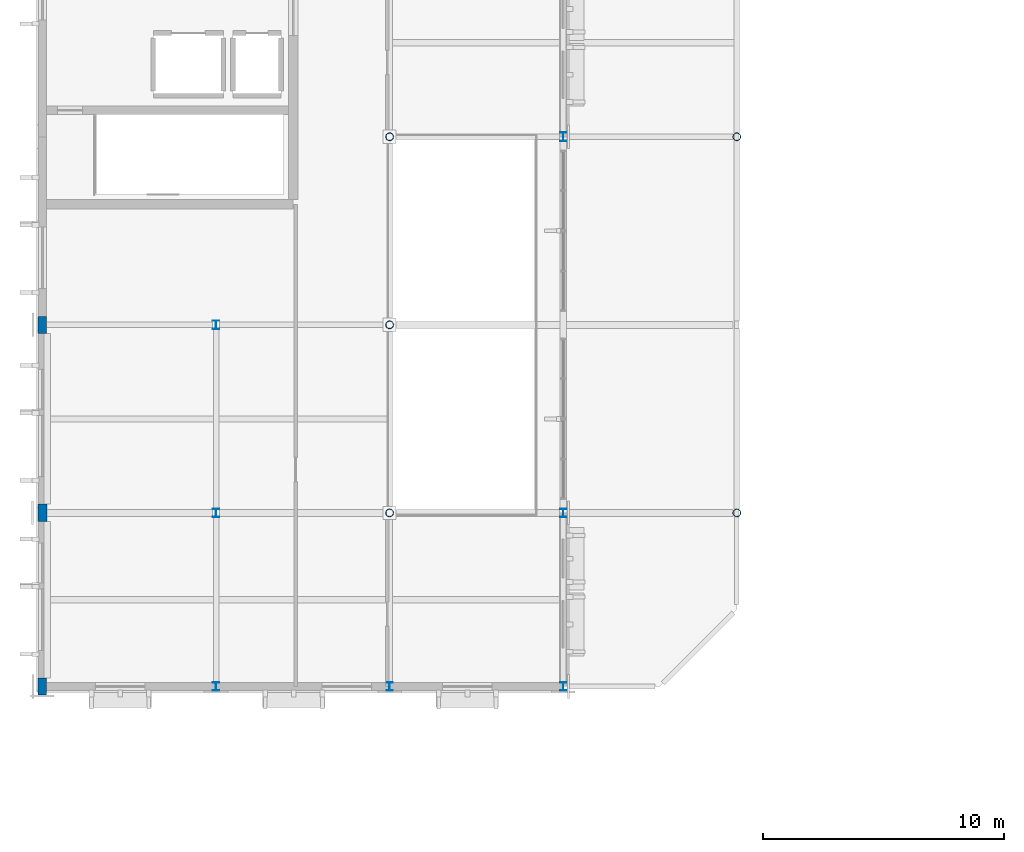
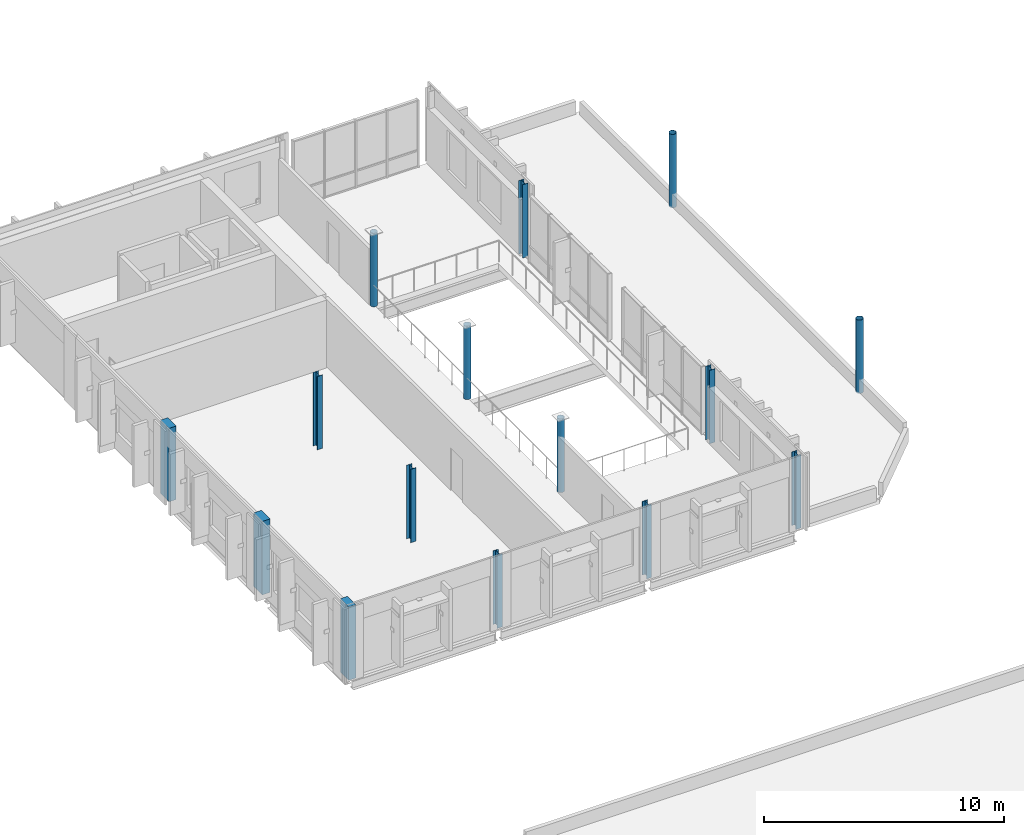
# One storey, part 1 of 23: 15 columns.
"""IFC4 building model written with IfcOpenShell, lengths in metres."""

import ifcopenshell
import ifcopenshell.guid

model = None  # the IFC model being written
_history = None  # IfcOwnerHistory: only IFC2X3 demands one
_inside = {}  # id of a spatial element -> (the spatial element, [elements in it])
_under = {}  # id of a project, library or spatial element -> (it, [spatial elements below it])
_declared = {}  # id of a project -> (the project, [libraries it declares])
_typed = {}  # id of a type object -> (the type object, [elements of that type])
_made_of = {}  # id of a material, layer set ... -> (it, [elements and type objects made of it])


def new_model(schema):
    """Start an empty IFC model of exactly this schema.

    Asked for "IFC4X3", IfcOpenShell would pick the latest addendum, in which some entities
    have other attributes; the version numbers below select the first issue.
    IFC2X3 requires an IfcOwnerHistory on every rooted entity: one is made here for all.
    """
    global model, _history
    if schema == "IFC4X3":
        model = ifcopenshell.file(schema_version=(4, 3, 0, 0))
    else:
        model = ifcopenshell.file(schema=schema)
    _inside.clear()
    _under.clear()
    _declared.clear()
    _typed.clear()
    _made_of.clear()
    _history = None
    if model.schema == "IFC2X3":
        org = make("IfcOrganization", Name="unknown")
        user = make(
            "IfcPersonAndOrganization",
            ThePerson=make("IfcPerson", FamilyName="unknown"),
            TheOrganization=org,
        )
        app = make(
            "IfcApplication",
            ApplicationDeveloper=org,
            Version="unknown",
            ApplicationFullName="unknown",
            ApplicationIdentifier="unknown",
        )
        _history = make(
            "IfcOwnerHistory",
            OwningUser=user,
            OwningApplication=app,
            ChangeAction="ADDED",
            CreationDate=0,
        )
    return model


def make(cls, **values):
    """One entity of the class cls with the attributes given. An attribute that is None is left unset."""
    return model.create_entity(
        cls, **{name: value for name, value in values.items() if value is not None}
    )


def rooted(cls, **values):
    """An entity with a GlobalId (a new one), such as an element, a storey or a relation."""
    return make(cls, GlobalId=ifcopenshell.guid.new(), OwnerHistory=_history, **values)


def si_unit(unit_type, name, prefix=None):
    """IfcSIUnit, for example si_unit("LENGTHUNIT", "METRE", prefix="MILLI")."""
    return make("IfcSIUnit", UnitType=unit_type, Prefix=prefix, Name=name)


def assignment(units):
    """IfcUnitAssignment: the units of a project."""
    return None if units is None else make("IfcUnitAssignment", Units=units)


def point(xyz):
    """IfcCartesianPoint."""
    return None if xyz is None else make("IfcCartesianPoint", Coordinates=xyz)


def direction(xyz):
    """IfcDirection."""
    return None if xyz is None else make("IfcDirection", DirectionRatios=xyz)


def frame(location, z_axis=None, x_axis=None):
    """IfcAxis2Placement3D, a coordinate frame: its origin and axes. An axis left out is left unset."""
    return make(
        "IfcAxis2Placement3D",
        Location=point(location),
        Axis=direction(z_axis),
        RefDirection=direction(x_axis),
    )


def frame_2d(location, x_axis=None):
    """IfcAxis2Placement2D, a coordinate frame in the plane: its origin and x axis."""
    return make(
        "IfcAxis2Placement2D", Location=point(location), RefDirection=direction(x_axis)
    )


def origin():
    """The frame at (0, 0, 0) with its axes left unset."""
    return frame((0.0, 0.0, 0.0))


def origin_2d():
    """The frame at (0, 0) in the plane with its x axis left unset."""
    return frame_2d((0.0, 0.0))


def place(relative_to, where):
    """IfcLocalPlacement: puts the frame where relative to a parent placement (None: the world)."""
    return make(
        "IfcLocalPlacement", PlacementRelTo=relative_to, RelativePlacement=where
    )


def context(
    kind, dimensions, precision=None, world=None, true_north=None, identifier=None
):
    """IfcGeometricRepresentationContext, for example the 3D "Model" context."""
    return make(
        "IfcGeometricRepresentationContext",
        ContextIdentifier=identifier,
        ContextType=kind,
        CoordinateSpaceDimension=dimensions,
        Precision=precision,
        WorldCoordinateSystem=world,
        TrueNorth=true_north,
    )


def subcontext(parent, identifier, kind, view, scale=None):
    """IfcGeometricRepresentationSubContext, for example "Body" below "Model"."""
    return make(
        "IfcGeometricRepresentationSubContext",
        ContextIdentifier=identifier,
        ContextType=kind,
        ParentContext=parent,
        TargetScale=scale,
        TargetView=view,
    )


def project(units=None, contexts=None):
    """IfcProject with its units and contexts."""
    return rooted(
        "IfcProject",
        Name="project",
        RepresentationContexts=contexts,
        UnitsInContext=assignment(units),
    )


def spatial(cls, under=None, at=None, **own):
    """A site, building, storey or space (cls), placed at a placement, below another one or the project."""
    s = rooted(cls, ObjectPlacement=at, **own)
    if under is not None:
        _under.setdefault(under.id(), (under, []))[1].append(s)
    return s


def profile(cls, at=None, kind="AREA", **sizes):
    """A parametric profile (cls). Its sizes go by their IFC names, for example OverallWidth=200.0."""
    return make(cls, ProfileType=kind, Position=at, **sizes)


def rectangle(**sizes):
    """IfcRectangleProfileDef."""
    return profile("IfcRectangleProfileDef", **sizes)


def hollow_circle(**sizes):
    """IfcCircleHollowProfileDef."""
    return profile("IfcCircleHollowProfileDef", **sizes)


def i_section(**sizes):
    """IfcIShapeProfileDef."""
    return profile("IfcIShapeProfileDef", **sizes)


def extrude(swept, where, along, depth):
    """IfcExtrudedAreaSolid: the profile swept, set in the frame where, extruded along a direction by depth."""
    return make(
        "IfcExtrudedAreaSolid",
        SweptArea=swept,
        Position=where,
        ExtrudedDirection=direction(along),
        Depth=depth,
    )


def shape(context_of_items, identifier, shape_type, items):
    """IfcShapeRepresentation: the items that make up one representation, for example the "Body"."""
    return make(
        "IfcShapeRepresentation",
        ContextOfItems=context_of_items,
        RepresentationIdentifier=identifier,
        RepresentationType=shape_type,
        Items=items,
    )


def material(Name=None, Category=None):
    """IfcMaterial."""
    return make("IfcMaterial", Name=Name, Category=Category)


def material_profile(
    of_material, cross_section, Name=None, Category=None, Priority=None
):
    """IfcMaterialProfile: a cross section and its material."""
    return make(
        "IfcMaterialProfile",
        Name=Name,
        Material=of_material,
        Profile=cross_section,
        Priority=Priority,
        Category=Category,
    )


def profile_set(profiles, Name=None, composite=None):
    """IfcMaterialProfileSet."""
    return make(
        "IfcMaterialProfileSet",
        Name=Name,
        MaterialProfiles=profiles,
        CompositeProfile=composite,
    )


def made_of(thing, what):
    """Note that an element or type object is made of a material, layer set ...; save() writes the relation."""
    if what is not None:
        _made_of.setdefault(what.id(), (what, []))[1].append(thing)
    return thing


def type_object(cls, material=None, **own):
    """A type object (cls), such as IfcWallType, which elements share."""
    return made_of(rooted(cls, **own), material)


def element(
    cls,
    number,
    at=None,
    inside=None,
    cuts=None,
    type_object=None,
    material=None,
    context=None,
    identifier="Body",
    shape_type=None,
    held_by="IfcProductDefinitionShape",
    body=None,
    shapes=None,
    **own,
):
    """One element of the class cls, such as IfcWall. Its Tag is "e" and its number.

    at: its placement. inside: the storey or other place that contains it. cuts: it is an
    opening in that element (IfcRelVoidsElement). A single representation is given by context,
    identifier, shape_type and body (its items); several are given by shapes. held_by: the class
    of the entity that holds the representations. save() writes the other relations.
    """
    e = rooted(cls, Tag="e%d" % number, ObjectPlacement=at, **own)
    if body is not None:
        shapes = [shape(context, identifier, shape_type, body)]
    if shapes is not None:
        e.Representation = make(held_by, Representations=shapes)
    if inside is not None:
        _inside.setdefault(inside.id(), (inside, []))[1].append(e)
    if cuts is not None:
        rooted(
            "IfcRelVoidsElement", RelatingBuildingElement=cuts, RelatedOpeningElement=e
        )
    if type_object is not None:
        _typed.setdefault(type_object.id(), (type_object, []))[1].append(e)
    return made_of(e, material)


def aggregate(whole, parts):
    """IfcRelAggregates: a whole, such as a stair, and the parts it consists of."""
    return rooted("IfcRelAggregates", RelatingObject=whole, RelatedObjects=parts)


def save(model, path):
    """Write the relations noted so far, then the file.

    IfcRelAggregates (storeys below a building ...), IfcRelContainedInSpatialStructure (elements
    in a storey), IfcRelDefinesByType, IfcRelAssociatesMaterial and IfcRelDeclares: one each for
    every whole, place, type object, material and project.
    """
    for whole, parts in _under.values():
        aggregate(whole, parts)
    for where, things in _inside.values():
        rooted(
            "IfcRelContainedInSpatialStructure",
            RelatedElements=things,
            RelatingStructure=where,
        )
    for kind, things in _typed.values():
        rooted("IfcRelDefinesByType", RelatedObjects=things, RelatingType=kind)
    for what, things in _made_of.values():
        rooted("IfcRelAssociatesMaterial", RelatedObjects=things, RelatingMaterial=what)
    for by, libraries in _declared.values():
        rooted("IfcRelDeclares", RelatingContext=by, RelatedDefinitions=libraries)
    model.write(path)


model = new_model("IFC4")

# Units and contexts
model_context = context("Model", 3, precision=1e-05, world=origin(), true_north=direction((0.0, 1.0)))
body_context = subcontext(model_context, "Body", "Model", "MODEL_VIEW")
ifc_project = project(units=[si_unit("LENGTHUNIT", "METRE"), si_unit("AREAUNIT", "SQUARE_METRE"), si_unit("VOLUMEUNIT", "CUBIC_METRE"), si_unit("PLANEANGLEUNIT", "RADIAN"), si_unit("MASSUNIT", "GRAM", prefix="KILO")], contexts=[model_context])

# Site, building, storey
site_placement = place(None, origin())
site = spatial("IfcSite", under=ifc_project, at=site_placement, CompositionType="ELEMENT")
building_placement = place(site_placement, origin())
building = spatial("IfcBuilding", under=site, at=building_placement, Name="Vervanel Yard Central Library", CompositionType="ELEMENT")
storey_placement = place(building_placement, frame((0.0, 0.0, 16.52001953125)))
storey = spatial("IfcBuildingStorey", under=building, at=storey_placement, Name="L04", CompositionType="ELEMENT", Elevation=16.52001953125)

# Columns
ifc_material_1 = material(Name="Steel ASTM A500 Grade C", Category="steel")
ifc_material_profile_1 = material_profile(ifc_material_1, hollow_circle(Radius=0.161865234375, WallThickness=0.01171875, at=origin_2d()), Name="HSS12.750X0.500", Category="steel")
ifc_profile_set_1 = profile_set([ifc_material_profile_1], Name="Steel ASTM A500 Grade C")
column_type_1 = type_object("IfcColumnType", Name="Atrium Column HSS12.750X0.500", PredefinedType="COLUMN", material=ifc_profile_set_1)
for number, where, z_axis, x_axis, name in (
    (1, (14.39990234375, 43.199951171875, 0.0), (0.0, 0.0, 1.0), (1.0, 0.0, 0.0), "L04 Atrium Column HSS12.750X0.500 (14.4, 43.2)"),
    (2, (14.39990234375, 51.0, 0.0), (0.0, 0.0, 1.0), (1.0, 0.0, 0.0), "L04 Atrium Column HSS12.750X0.500 (14.4, 51.0)"),
    (3, (14.39990234375, 58.800048828125, 0.0), (0.0, 0.0, 1.0), (1.0, 0.0, 0.0), "L04 Atrium Column HSS12.750X0.500 (14.4, 58.8)"),
    (4, (28.800048828125, 43.199951171875, 0.0), (0.0, 0.0, 1.0), (1.0, 0.0, 0.0), "L04 Monitor Support Column E Y=43.2"),
    (5, (28.800048828125, 58.800048828125, 0.0), (0.0, 0.0, 1.0), (1.0, 0.0, 0.0), "L04 Monitor Support Column E Y=58.8"),
):
    element("IfcColumn", number, at=place(storey_placement, frame(where, z_axis=z_axis, x_axis=x_axis)), inside=storey, type_object=column_type_1, Name=name, PredefinedType="COLUMN", context=body_context, shape_type="SweptSolid", body=[
        extrude(hollow_circle(Radius=0.161865234375, WallThickness=0.01171875, at=origin_2d()), origin(), (0.0, 0.0, 1.0), 3.739990234375),
    ])
ifc_material_2 = material(Name="Concrete C40/50", Category="concrete")
ifc_material_profile_2 = material_profile(ifc_material_2, rectangle(XDim=0.35009765625, YDim=0.699951171875, at=origin_2d()), Name="RC 350x700", Category="concrete")
ifc_profile_set_2 = profile_set([ifc_material_profile_2], Name="Concrete C40/50")
column_type_2 = type_object("IfcColumnType", Name="Perimeter Pilaster 350x700", PredefinedType="PILASTER", material=ifc_profile_set_2)
for number, where, z_axis, x_axis, name in (
    (6, (0.0, 36.0, 0.0), (0.0, 0.0, 1.0), (1.0, 0.0, 0.0), "L04 Perimeter Pilaster 350x700 (0.0, 36.0)"),
    (7, (0.0, 51.0, 0.0), (0.0, 0.0, 1.0), (1.0, 0.0, 0.0), "L04 Perimeter Pilaster 350x700 (0.0, 51.0)"),
):
    element("IfcColumn", number, at=place(storey_placement, frame(where, z_axis=z_axis, x_axis=x_axis)), inside=storey, type_object=column_type_2, Name=name, PredefinedType="PILASTER", context=body_context, shape_type="SweptSolid", body=[
        extrude(rectangle(XDim=0.35009765625, YDim=0.699951171875, at=origin_2d()), origin(), (0.0, 0.0, 1.0), 3.739990234375),
    ])
ifc_material_profile_3 = material_profile(ifc_material_2, rectangle(XDim=0.3798828125, YDim=0.719970703125, at=origin_2d()), Name="RC 380x720", Category="concrete")
ifc_profile_set_3 = profile_set([ifc_material_profile_3], Name="Concrete C40/50")
column_type_3 = type_object("IfcColumnType", Name="Perimeter Pilaster 380x720", PredefinedType="PILASTER", material=ifc_profile_set_3)
column_placement = place(storey_placement, frame((0.0, 43.199951171875, 0.0), z_axis=(0.0, 0.0, 1.0), x_axis=(1.0, 0.0, 0.0)))
element("IfcColumn", 8, at=column_placement, inside=storey, type_object=column_type_3, Name="L04 Perimeter Pilaster 380x720 (0.0, 43.2)", PredefinedType="PILASTER", context=body_context, shape_type="SweptSolid", body=[
    extrude(rectangle(XDim=0.3798828125, YDim=0.719970703125, at=origin_2d()), origin(), (0.0, 0.0, 1.0), 3.739990234375),
])
ifc_material_3 = material(Name="Steel ASTM A992 Grade 50", Category="steel")
ifc_material_profile_4 = material_profile(ifc_material_3, i_section(OverallWidth=0.25390625, OverallDepth=0.355712890625, WebThickness=0.010498046875, FlangeThickness=0.018310546875, at=origin_2d()), Name="W14X68", Category="steel")
ifc_profile_set_4 = profile_set([ifc_material_profile_4], Name="Steel ASTM A992 Grade 50")
column_type_4 = type_object("IfcColumnType", Name="Steel Column W14X68", PredefinedType="COLUMN", material=ifc_profile_set_4)
for number, where, z_axis, x_axis, name in (
    (9, (7.199951171875, 36.0, 0.0), (0.0, 0.0, 1.0), (1.0, 0.0, 0.0), "L04 Steel Column W14X68 (7.2, 36.0)"),
    (10, (7.199951171875, 43.199951171875, 0.0), (0.0, 0.0, 1.0), (1.0, 0.0, 0.0), "L04 Steel Column W14X68 (7.2, 43.2)"),
    (11, (7.199951171875, 51.0, 0.0), (0.0, 0.0, 1.0), (1.0, 0.0, 0.0), "L04 Steel Column W14X68 (7.2, 51.0)"),
    (12, (14.39990234375, 36.0, 0.0), (0.0, 0.0, 1.0), (1.0, 0.0, 0.0), "L04 Steel Column W14X68 (14.4, 36.0)"),
    (13, (21.60009765625, 36.0, 0.0), (0.0, 0.0, 1.0), (1.0, 0.0, 0.0), "L04 Steel Column W14X68 (21.6, 36.0)"),
    (14, (21.60009765625, 43.199951171875, 0.0), (0.0, 0.0, 1.0), (1.0, 0.0, 0.0), "L04 Steel Column W14X68 (21.6, 43.2)"),
    (15, (21.60009765625, 58.800048828125, 0.0), (0.0, 0.0, 1.0), (1.0, 0.0, 0.0), "L04 Steel Column W14X68 (21.6, 58.8)"),
):
    element("IfcColumn", number, at=place(storey_placement, frame(where, z_axis=z_axis, x_axis=x_axis)), inside=storey, type_object=column_type_4, Name=name, PredefinedType="COLUMN", context=body_context, shape_type="SweptSolid", body=[
        extrude(i_section(OverallWidth=0.25390625, OverallDepth=0.355712890625, WebThickness=0.010498046875, FlangeThickness=0.018310546875, at=origin_2d()), origin(), (0.0, 0.0, 1.0), 3.739990234375),
    ])

save(model, "model.ifc")
